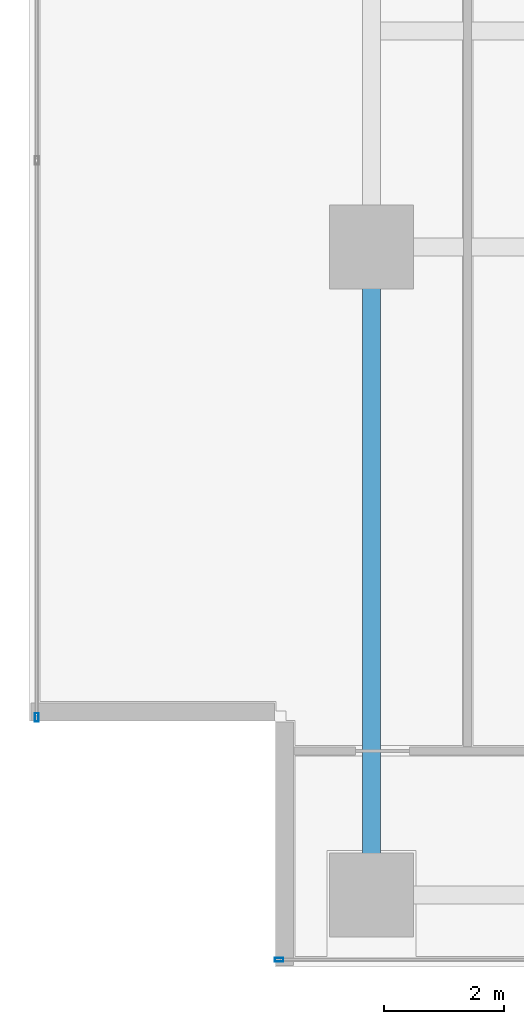
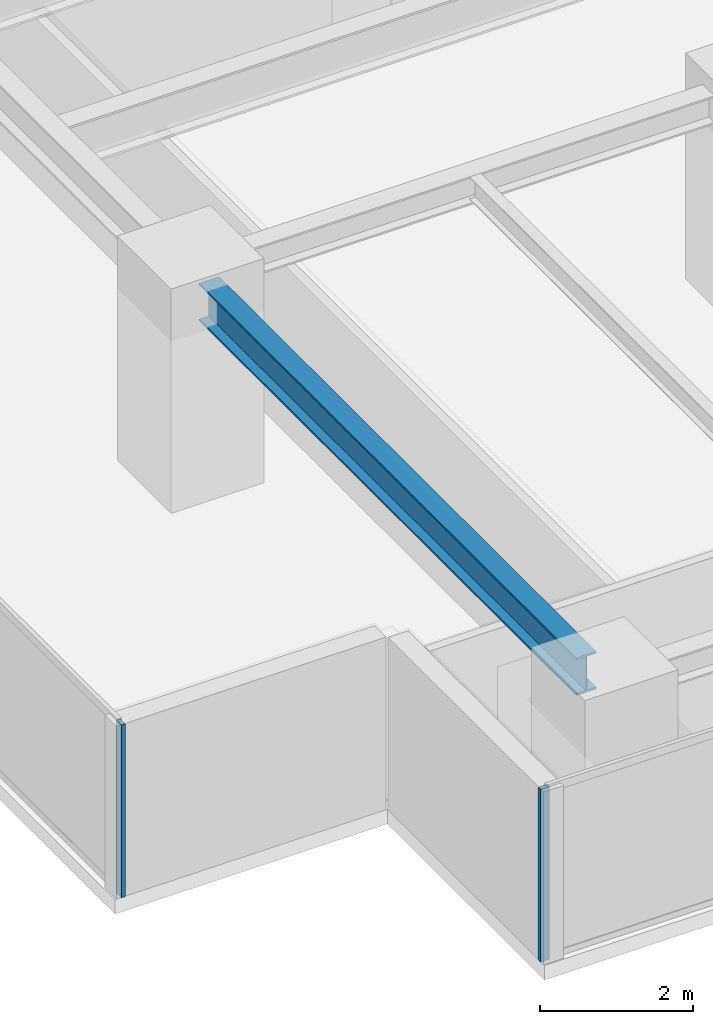
# One storey, part 2 of 26: 2 members, 1 beam, 2 elements without a shape of their own.
"""IFC4 building model written with IfcOpenShell, lengths in metres."""

from ifc_helpers import new_model, si_unit, direction, frame, origin, origin_2d, place, context, subcontext, project, spatial, hollow_rectangle, i_section, extrude, source, transform, mapped, material, layer, layer_set, material_profile, profile_set, type_object, element, aggregate, save


model = new_model("IFC4")

# Units and contexts
model_context = context("Model", 3, precision=1e-05, world=origin(), true_north=direction((0.0, 1.0)))
body_context = subcontext(model_context, "Body", "Model", "MODEL_VIEW")
ifc_project = project(units=[si_unit("LENGTHUNIT", "METRE"), si_unit("AREAUNIT", "SQUARE_METRE"), si_unit("VOLUMEUNIT", "CUBIC_METRE"), si_unit("PLANEANGLEUNIT", "RADIAN"), si_unit("MASSUNIT", "GRAM", prefix="KILO")], contexts=[model_context])

# Site, building, storey
site_placement = place(None, origin())
site = spatial("IfcSite", under=ifc_project, at=site_placement, CompositionType="ELEMENT")
building_placement = place(site_placement, origin())
building = spatial("IfcBuilding", under=site, at=building_placement, Name="Sumidabori Civic Tower", CompositionType="ELEMENT")
storey_placement = place(building_placement, frame((0.0, 0.0, 236.0)))
storey = spatial("IfcBuildingStorey", under=building, at=storey_placement, Name="L61", CompositionType="ELEMENT", Elevation=236.0)

# Beam
ifc_material_1 = material(Name="Steel SN490", Category="steel")
ifc_material_profile_1 = material_profile(ifc_material_1, i_section(OverallWidth=0.300048828125, OverallDepth=0.60009765625, WebThickness=0.015380859375, FlangeThickness=0.030029296875, at=origin_2d()), Name="HE 600 B")
ifc_profile_set_1 = profile_set([ifc_material_profile_1], Name="Steel SN490")
beam_type = type_object("IfcBeamType", Name="BM-GIRD-600", PredefinedType="BEAM", material=ifc_profile_set_1)
shared_shape_1 = source(origin(), body_context, "Body", "SweptSolid", [
    extrude(i_section(OverallWidth=0.300048828125, OverallDepth=0.60009765625, WebThickness=0.015380859375, FlangeThickness=0.030029296875, at=origin_2d()), origin(), (0.0, 0.0, 1.0), 9.840087890625),
])
beam_placement = place(storey_placement, frame((-16.800048828125, -10.320068359375, 3.070068359375), z_axis=(0.0, 1.0, 0.0), x_axis=(-1.0, 0.0, 0.0)))
element("IfcBeam", 1, at=beam_placement, inside=storey, type_object=beam_type, Name="Primary Girder L61 GY-09", PredefinedType="BEAM", context=body_context, shape_type="MappedRepresentation", body=[
    mapped(shared_shape_1, transform((0.0, 0.0, 0.0), x_axis=(1.0, 0.0, 0.0), y_axis=(0.0, 1.0, 0.0), z_axis=(0.0, 0.0, 1.0), scale=1.0)),
])

# Curtain wall, member
ifc_material_2 = material(Name="Anodised Bronze Aluminium AW-6063-T6", Category="aluminium")
ifc_layer = layer(ifc_material_2, 0.179931640625, Name="Anodised Bronze Aluminium AW-6063-T6")
ifc_layer_set = layer_set([ifc_layer], Name="Anodised Bronze Aluminium AW-6063-T6")
curtain_wall_type = type_object("IfcCurtainWallType", Name="CW-SYS-5", PredefinedType="NOTDEFINED", material=ifc_layer_set)
curtain_wall_1_placement = place(storey_placement, origin())
curtain_wall_1 = element("IfcCurtainWall", 2, at=curtain_wall_1_placement, inside=storey, type_object=curtain_wall_type, Name="Curtain Wall CW:L61:R01", PredefinedType="NOTDEFINED")
ifc_material_profile_2 = material_profile(ifc_material_2, hollow_rectangle(XDim=0.06005859375, YDim=0.139892578125, WallThickness=0.0048828125, at=origin_2d()), Name="ALU MULLION 140x60")
ifc_profile_set_2 = profile_set([ifc_material_profile_2], Name="Anodised Bronze Aluminium AW-6063-T6")
member_type = type_object("IfcMemberType", Name="CW-MUL-140", PredefinedType="MULLION", material=ifc_profile_set_2)
shared_shape_2 = source(origin(), body_context, "Body", "SweptSolid", [
    extrude(hollow_rectangle(XDim=0.06005859375, YDim=0.139892578125, WallThickness=0.0048828125, at=origin_2d()), origin(), (0.0, 0.0, 1.0), 2.75),
])
member_1_placement = place(storey_placement, frame((-18.340087890625, -11.8798828125, 0.0), z_axis=(0.0, 0.0, 1.0), x_axis=(0.0, 1.0, 0.0)))
member_1 = element("IfcMember", 3, at=member_1_placement, type_object=member_type, Name="CW-5 mullion 1", PredefinedType="MULLION", context=body_context, shape_type="MappedRepresentation", body=[
    mapped(shared_shape_2, transform((0.0, 0.0, 0.0), x_axis=(1.0, 0.0, 0.0), y_axis=(0.0, 1.0, 0.0), z_axis=(0.0, 0.0, 1.0), scale=1.0)),
])
aggregate(curtain_wall_1, [member_1])

curtain_wall_2_placement = place(storey_placement, origin())
curtain_wall_2 = element("IfcCurtainWall", 4, at=curtain_wall_2_placement, inside=storey, type_object=curtain_wall_type, Name="Curtain Wall CW:L61:R10", PredefinedType="NOTDEFINED")
member_2_placement = place(storey_placement, frame((-22.3798828125, -7.840087890625, 0.0), z_axis=(0.0, 0.0, 1.0), x_axis=(1.0, 0.0, 0.0)))
member_2 = element("IfcMember", 5, at=member_2_placement, type_object=member_type, Name="CW-5 mullion 4", PredefinedType="MULLION", context=body_context, shape_type="MappedRepresentation", body=[
    mapped(shared_shape_2, transform((0.0, 0.0, 0.0), x_axis=(1.0, 0.0, 0.0), y_axis=(0.0, 1.0, 0.0), z_axis=(0.0, 0.0, 1.0), scale=1.0)),
])
aggregate(curtain_wall_2, [member_2])

save(model, "model.ifc")
